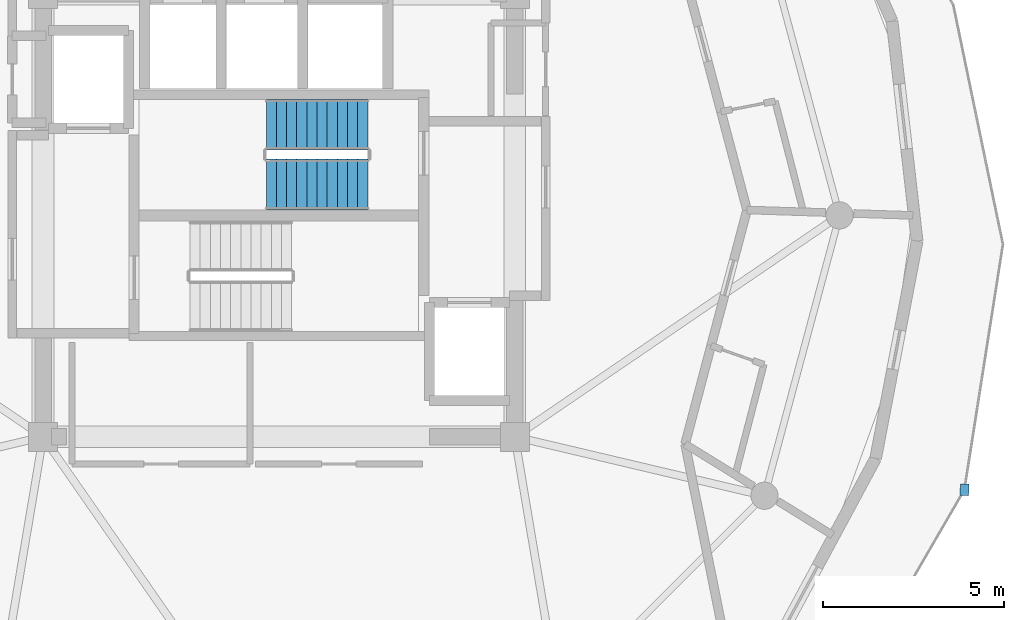
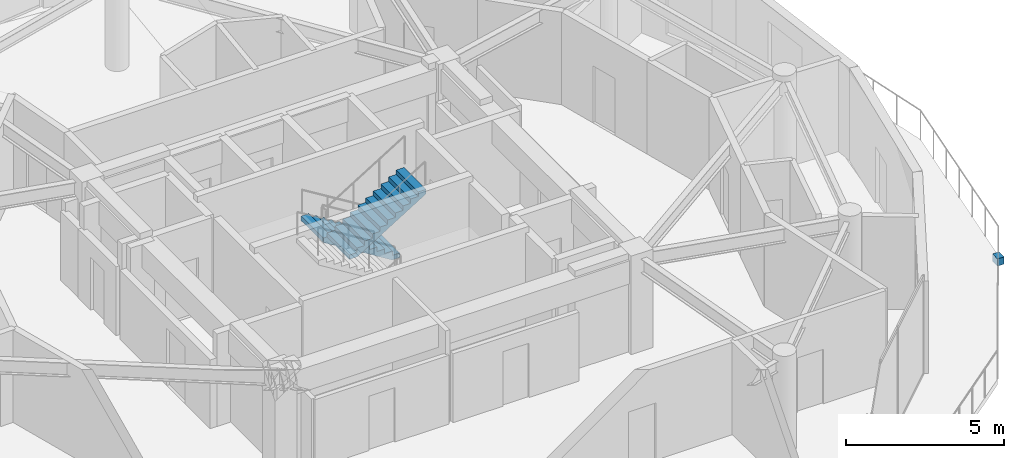
# One storey, part 21 of 23: 2 stair flights, 1 discrete accessory, 1 element without a shape of its own.
"""IFC4 building model written with IfcOpenShell, lengths in metres."""

import ifcopenshell
import ifcopenshell.guid

model = None  # the IFC model being written
_history = None  # IfcOwnerHistory: only IFC2X3 demands one
_inside = {}  # id of a spatial element -> (the spatial element, [elements in it])
_under = {}  # id of a project, library or spatial element -> (it, [spatial elements below it])
_declared = {}  # id of a project -> (the project, [libraries it declares])
_typed = {}  # id of a type object -> (the type object, [elements of that type])
_made_of = {}  # id of a material, layer set ... -> (it, [elements and type objects made of it])


def new_model(schema):
    """Start an empty IFC model of exactly this schema.

    Asked for "IFC4X3", IfcOpenShell would pick the latest addendum, in which some entities
    have other attributes; the version numbers below select the first issue.
    IFC2X3 requires an IfcOwnerHistory on every rooted entity: one is made here for all.
    """
    global model, _history
    if schema == "IFC4X3":
        model = ifcopenshell.file(schema_version=(4, 3, 0, 0))
    else:
        model = ifcopenshell.file(schema=schema)
    _inside.clear()
    _under.clear()
    _declared.clear()
    _typed.clear()
    _made_of.clear()
    _history = None
    if model.schema == "IFC2X3":
        org = make("IfcOrganization", Name="unknown")
        user = make(
            "IfcPersonAndOrganization",
            ThePerson=make("IfcPerson", FamilyName="unknown"),
            TheOrganization=org,
        )
        app = make(
            "IfcApplication",
            ApplicationDeveloper=org,
            Version="unknown",
            ApplicationFullName="unknown",
            ApplicationIdentifier="unknown",
        )
        _history = make(
            "IfcOwnerHistory",
            OwningUser=user,
            OwningApplication=app,
            ChangeAction="ADDED",
            CreationDate=0,
        )
    return model


def make(cls, **values):
    """One entity of the class cls with the attributes given. An attribute that is None is left unset."""
    return model.create_entity(
        cls, **{name: value for name, value in values.items() if value is not None}
    )


def rooted(cls, **values):
    """An entity with a GlobalId (a new one), such as an element, a storey or a relation."""
    return make(cls, GlobalId=ifcopenshell.guid.new(), OwnerHistory=_history, **values)


def si_unit(unit_type, name, prefix=None):
    """IfcSIUnit, for example si_unit("LENGTHUNIT", "METRE", prefix="MILLI")."""
    return make("IfcSIUnit", UnitType=unit_type, Prefix=prefix, Name=name)


def assignment(units):
    """IfcUnitAssignment: the units of a project."""
    return None if units is None else make("IfcUnitAssignment", Units=units)


def point(xyz):
    """IfcCartesianPoint."""
    return None if xyz is None else make("IfcCartesianPoint", Coordinates=xyz)


def direction(xyz):
    """IfcDirection."""
    return None if xyz is None else make("IfcDirection", DirectionRatios=xyz)


def frame(location, z_axis=None, x_axis=None):
    """IfcAxis2Placement3D, a coordinate frame: its origin and axes. An axis left out is left unset."""
    return make(
        "IfcAxis2Placement3D",
        Location=point(location),
        Axis=direction(z_axis),
        RefDirection=direction(x_axis),
    )


def frame_2d(location, x_axis=None):
    """IfcAxis2Placement2D, a coordinate frame in the plane: its origin and x axis."""
    return make(
        "IfcAxis2Placement2D", Location=point(location), RefDirection=direction(x_axis)
    )


def origin():
    """The frame at (0, 0, 0) with its axes left unset."""
    return frame((0.0, 0.0, 0.0))


def origin_2d():
    """The frame at (0, 0) in the plane with its x axis left unset."""
    return frame_2d((0.0, 0.0))


def place(relative_to, where):
    """IfcLocalPlacement: puts the frame where relative to a parent placement (None: the world)."""
    return make(
        "IfcLocalPlacement", PlacementRelTo=relative_to, RelativePlacement=where
    )


def context(
    kind, dimensions, precision=None, world=None, true_north=None, identifier=None
):
    """IfcGeometricRepresentationContext, for example the 3D "Model" context."""
    return make(
        "IfcGeometricRepresentationContext",
        ContextIdentifier=identifier,
        ContextType=kind,
        CoordinateSpaceDimension=dimensions,
        Precision=precision,
        WorldCoordinateSystem=world,
        TrueNorth=true_north,
    )


def subcontext(parent, identifier, kind, view, scale=None):
    """IfcGeometricRepresentationSubContext, for example "Body" below "Model"."""
    return make(
        "IfcGeometricRepresentationSubContext",
        ContextIdentifier=identifier,
        ContextType=kind,
        ParentContext=parent,
        TargetScale=scale,
        TargetView=view,
    )


def project(units=None, contexts=None):
    """IfcProject with its units and contexts."""
    return rooted(
        "IfcProject",
        Name="project",
        RepresentationContexts=contexts,
        UnitsInContext=assignment(units),
    )


def spatial(cls, under=None, at=None, **own):
    """A site, building, storey or space (cls), placed at a placement, below another one or the project."""
    s = rooted(cls, ObjectPlacement=at, **own)
    if under is not None:
        _under.setdefault(under.id(), (under, []))[1].append(s)
    return s


def polyline(points):
    """IfcPolyline through the points."""
    return make("IfcPolyline", Points=[point(p) for p in points])


def profile(cls, at=None, kind="AREA", **sizes):
    """A parametric profile (cls). Its sizes go by their IFC names, for example OverallWidth=200.0."""
    return make(cls, ProfileType=kind, Position=at, **sizes)


def rectangle(**sizes):
    """IfcRectangleProfileDef."""
    return profile("IfcRectangleProfileDef", **sizes)


def outline(outer, holes=None, kind="AREA"):
    """IfcArbitraryClosedProfileDef: a profile drawn as a closed curve; with holes, ...WithVoids."""
    if holes is None:
        return make("IfcArbitraryClosedProfileDef", ProfileType=kind, OuterCurve=outer)
    return make(
        "IfcArbitraryProfileDefWithVoids",
        ProfileType=kind,
        OuterCurve=outer,
        InnerCurves=holes,
    )


def extrude(swept, where, along, depth):
    """IfcExtrudedAreaSolid: the profile swept, set in the frame where, extruded along a direction by depth."""
    return make(
        "IfcExtrudedAreaSolid",
        SweptArea=swept,
        Position=where,
        ExtrudedDirection=direction(along),
        Depth=depth,
    )


def shape(context_of_items, identifier, shape_type, items):
    """IfcShapeRepresentation: the items that make up one representation, for example the "Body"."""
    return make(
        "IfcShapeRepresentation",
        ContextOfItems=context_of_items,
        RepresentationIdentifier=identifier,
        RepresentationType=shape_type,
        Items=items,
    )


def material(Name=None, Category=None):
    """IfcMaterial."""
    return make("IfcMaterial", Name=Name, Category=Category)


def made_of(thing, what):
    """Note that an element or type object is made of a material, layer set ...; save() writes the relation."""
    if what is not None:
        _made_of.setdefault(what.id(), (what, []))[1].append(thing)
    return thing


def type_object(cls, material=None, **own):
    """A type object (cls), such as IfcWallType, which elements share."""
    return made_of(rooted(cls, **own), material)


def element(
    cls,
    number,
    at=None,
    inside=None,
    cuts=None,
    type_object=None,
    material=None,
    context=None,
    identifier="Body",
    shape_type=None,
    held_by="IfcProductDefinitionShape",
    body=None,
    shapes=None,
    **own,
):
    """One element of the class cls, such as IfcWall. Its Tag is "e" and its number.

    at: its placement. inside: the storey or other place that contains it. cuts: it is an
    opening in that element (IfcRelVoidsElement). A single representation is given by context,
    identifier, shape_type and body (its items); several are given by shapes. held_by: the class
    of the entity that holds the representations. save() writes the other relations.
    """
    e = rooted(cls, Tag="e%d" % number, ObjectPlacement=at, **own)
    if body is not None:
        shapes = [shape(context, identifier, shape_type, body)]
    if shapes is not None:
        e.Representation = make(held_by, Representations=shapes)
    if inside is not None:
        _inside.setdefault(inside.id(), (inside, []))[1].append(e)
    if cuts is not None:
        rooted(
            "IfcRelVoidsElement", RelatingBuildingElement=cuts, RelatedOpeningElement=e
        )
    if type_object is not None:
        _typed.setdefault(type_object.id(), (type_object, []))[1].append(e)
    return made_of(e, material)


def aggregate(whole, parts):
    """IfcRelAggregates: a whole, such as a stair, and the parts it consists of."""
    return rooted("IfcRelAggregates", RelatingObject=whole, RelatedObjects=parts)


def save(model, path):
    """Write the relations noted so far, then the file.

    IfcRelAggregates (storeys below a building ...), IfcRelContainedInSpatialStructure (elements
    in a storey), IfcRelDefinesByType, IfcRelAssociatesMaterial and IfcRelDeclares: one each for
    every whole, place, type object, material and project.
    """
    for whole, parts in _under.values():
        aggregate(whole, parts)
    for where, things in _inside.values():
        rooted(
            "IfcRelContainedInSpatialStructure",
            RelatedElements=things,
            RelatingStructure=where,
        )
    for kind, things in _typed.values():
        rooted("IfcRelDefinesByType", RelatedObjects=things, RelatingType=kind)
    for what, things in _made_of.values():
        rooted("IfcRelAssociatesMaterial", RelatedObjects=things, RelatingMaterial=what)
    for by, libraries in _declared.values():
        rooted("IfcRelDeclares", RelatingContext=by, RelatedDefinitions=libraries)
    model.write(path)


model = new_model("IFC4")

# Units and contexts
model_context = context("Model", 3, precision=1e-05, world=origin(), true_north=direction((0.0, 1.0)))
body_context = subcontext(model_context, "Body", "Model", "MODEL_VIEW")
ifc_project = project(units=[si_unit("LENGTHUNIT", "METRE"), si_unit("AREAUNIT", "SQUARE_METRE"), si_unit("VOLUMEUNIT", "CUBIC_METRE"), si_unit("PLANEANGLEUNIT", "RADIAN"), si_unit("MASSUNIT", "GRAM", prefix="KILO")], contexts=[model_context])

# Site, building, storey
site_placement = place(None, origin())
site = spatial("IfcSite", under=ifc_project, at=site_placement, CompositionType="ELEMENT")
building_placement = place(site_placement, origin())
building = spatial("IfcBuilding", under=site, at=building_placement, Name="Solvirekh Grand Hotel", CompositionType="ELEMENT")
storey_placement = place(building_placement, frame((0.0, 0.0, 285.800048828125)))
storey = spatial("IfcBuildingStorey", under=building, at=storey_placement, Name="L74", CompositionType="ELEMENT", Elevation=285.800048828125)

# Stair, stair flights
ifc_material_1 = material(Name="Concrete C40/50", Category="concrete")
stair_type = type_object("IfcStairType", Name="Stair_Core_1450", PredefinedType="HALF_TURN_STAIR", material=ifc_material_1)
stair_placement = place(storey_placement, origin())
stair = element("IfcStair", 1, at=stair_placement, inside=storey, type_object=stair_type, Name="L74 Enclosed exit stair ST-2", PredefinedType="HALF_TURN_STAIR")
stair_flight_type = type_object("IfcStairFlightType", Name="Flight_Core_1450", PredefinedType="STRAIGHT", material=ifc_material_1)
stair_flight_1_placement = place(storey_placement, frame((2.449951171875, 2.5, 0.0), z_axis=(0.0, 0.0, 1.0), x_axis=(-1.0, 0.0, 0.0)))
stair_flight_1 = element("IfcStairFlight", 2, at=stair_flight_1_placement, type_object=stair_flight_type, Name="ST-2 flight 1", NumberOfRisers=11, NumberOfTreads=10, PredefinedType="STRAIGHT", RiserHeight=0.172727273, TreadLength=0.28, context=body_context, shape_type="SweptSolid", body=[
    extrude(outline(polyline([(0.0, 0.0), (0.0, 0.172607421875), (0.280029296875, 0.172607421875), (0.280029296875, 0.345458984375), (0.56005859375, 0.345458984375), (0.56005859375, 0.51806640625), (0.840087890625, 0.51806640625), (0.840087890625, 0.69091796875), (1.1201171875, 0.69091796875), (1.1201171875, 0.863525390625), (1.39990234375, 0.863525390625), (1.39990234375, 1.036376953125), (1.679931640625, 1.036376953125), (1.679931640625, 1.208984375), (1.9599609375, 1.208984375), (1.9599609375, 1.3818359375), (2.239990234375, 1.3818359375), (2.239990234375, 1.554443359375), (2.52001953125, 1.554443359375), (2.52001953125, 1.727294921875), (2.800048828125, 1.727294921875), (2.800048828125, 1.89990234375), (2.800048828125, 1.551025390625), (0.285400390625, 0.0), (0.0, 0.0)])), frame((0.0, 0.699951171875, 0.0), z_axis=(0.0, -1.0, 0.0), x_axis=(1.0, 0.0, 0.0)), (0.0, 0.0, 1.0), 1.39990234375),
])
stair_flight_2_placement = place(storey_placement, frame((-0.35009765625, 0.85009765625, 1.89990234375), z_axis=(0.0, 0.0, 1.0), x_axis=(1.0, 0.0, 0.0)))
stair_flight_2 = element("IfcStairFlight", 3, at=stair_flight_2_placement, type_object=stair_flight_type, Name="ST-2 flight 2", NumberOfRisers=11, NumberOfTreads=10, PredefinedType="STRAIGHT", RiserHeight=0.172727273, TreadLength=0.28, context=body_context, shape_type="SweptSolid", body=[
    extrude(outline(polyline([(0.0, 0.0), (0.0, 0.172607421875), (0.280029296875, 0.172607421875), (0.280029296875, 0.345458984375), (0.56005859375, 0.345458984375), (0.56005859375, 0.51806640625), (0.840087890625, 0.51806640625), (0.840087890625, 0.69091796875), (1.1201171875, 0.69091796875), (1.1201171875, 0.863525390625), (1.39990234375, 0.863525390625), (1.39990234375, 1.036376953125), (1.679931640625, 1.036376953125), (1.679931640625, 1.208984375), (1.9599609375, 1.208984375), (1.9599609375, 1.3818359375), (2.239990234375, 1.3818359375), (2.239990234375, 1.554443359375), (2.52001953125, 1.554443359375), (2.52001953125, 1.727294921875), (2.800048828125, 1.727294921875), (2.800048828125, 1.89990234375), (2.800048828125, 1.551025390625), (0.285400390625, 0.0), (0.0, 0.0)])), frame((0.0, 0.699951171875, 0.0), z_axis=(0.0, -1.0, 0.0), x_axis=(1.0, 0.0, 0.0)), (0.0, 0.0, 1.0), 1.39990234375),
])
aggregate(stair, [stair_flight_1, stair_flight_2])

# Discrete accessory
ifc_material_2 = material(Name="Steel S355", Category="steel")
discrete_accessory_type = type_object("IfcDiscreteAccessoryType", Name="Acc_ThermalBracket", PredefinedType="BRACKET", material=ifc_material_2)
discrete_accessory_placement = place(storey_placement, frame((18.89306640625, -7.56201171875, -0.2802734375), z_axis=(0.0, 0.0, 1.0), x_axis=(-0.038387809088, -0.999262916411, 0.0)))
element("IfcDiscreteAccessory", 4, at=discrete_accessory_placement, inside=storey, type_object=discrete_accessory_type, Name="L74 balcony thermal-break bracket", PredefinedType="BRACKET", context=body_context, shape_type="SweptSolid", body=[
    extrude(rectangle(XDim=0.320068359375, YDim=0.239990234375, at=origin_2d()), origin(), (0.0, 0.0, 1.0), 0.280029296875),
])

save(model, "model.ifc")
